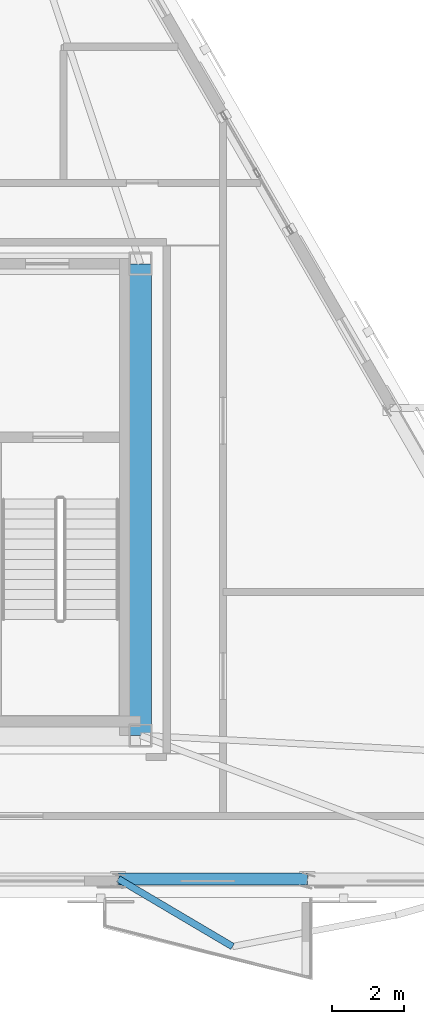
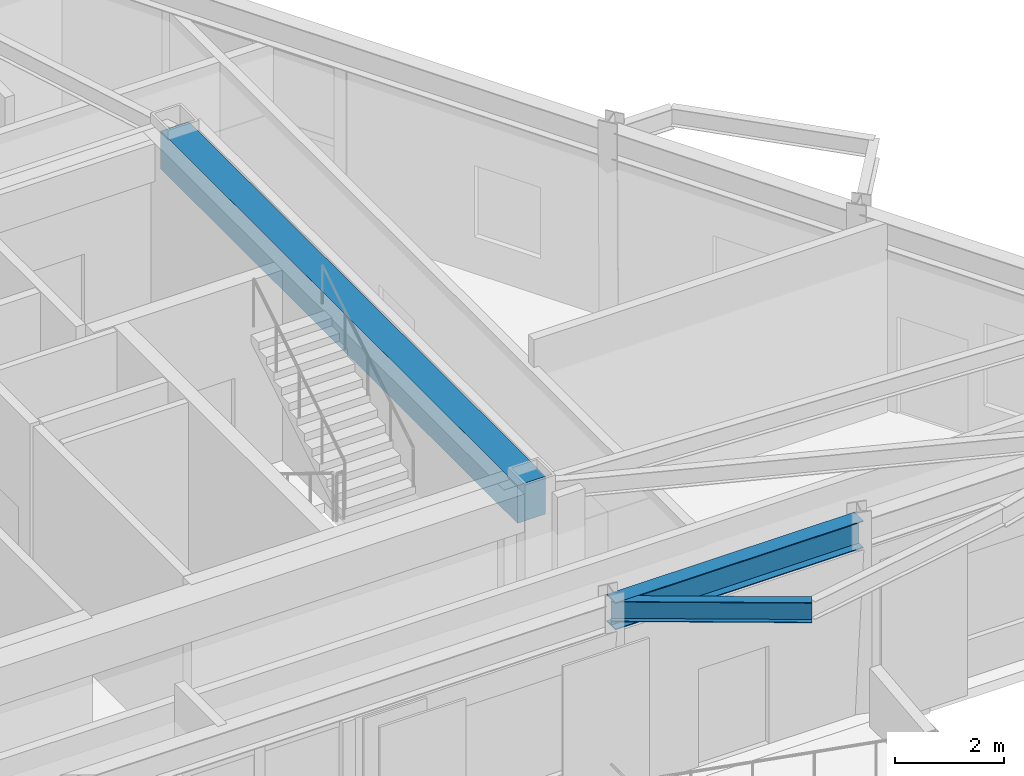
# One storey, part 3 of 16: 3 beams.
"""IFC4 building model written with IfcOpenShell, lengths in metres."""

from ifc_helpers import new_model, si_unit, direction, frame, origin, origin_2d, place, context, subcontext, project, spatial, rectangle, i_section, extrude, material, material_profile, profile_set, type_object, element, save


model = new_model("IFC4")

# Units and contexts
model_context = context("Model", 3, precision=1e-05, world=origin(), true_north=direction((0.0, 1.0)))
body_context = subcontext(model_context, "Body", "Model", "MODEL_VIEW")
ifc_project = project(units=[si_unit("LENGTHUNIT", "METRE"), si_unit("AREAUNIT", "SQUARE_METRE"), si_unit("VOLUMEUNIT", "CUBIC_METRE"), si_unit("PLANEANGLEUNIT", "RADIAN"), si_unit("MASSUNIT", "GRAM", prefix="KILO")], contexts=[model_context])

# Site, building, storey
site_placement = place(None, origin())
site = spatial("IfcSite", under=ifc_project, at=site_placement, CompositionType="ELEMENT")
building_placement = place(site_placement, origin())
building = spatial("IfcBuilding", under=site, at=building_placement, Name="Oramaril Tower", CompositionType="ELEMENT")
storey_placement = place(building_placement, frame((0.0, 0.0, 296.699951171875)))
storey = spatial("IfcBuildingStorey", under=building, at=storey_placement, Name="L78", CompositionType="ELEMENT", Elevation=296.699951171875)

# Beams
ifc_material_1 = material(Name="Steel ASTM A572 Gr 50", Category="steel")
ifc_material_profile_1 = material_profile(ifc_material_1, i_section(OverallWidth=0.19091796875, OverallDepth=0.45703125, WebThickness=0.009033203125, FlangeThickness=0.014404296875, at=origin_2d()), Name="W18X50")
ifc_profile_set_1 = profile_set([ifc_material_profile_1], Name="Steel ASTM A572 Gr 50")
beam_type_1 = type_object("IfcBeamType", Name="BT-BB1", PredefinedType="BEAM", material=ifc_profile_set_1)
beam_1_placement = place(storey_placement, frame((45.031494140625, 6.997802734375, 4.051513671875), z_axis=(0.860810909876, -0.508924923185, 0.0), x_axis=(0.508924923185, 0.860810909876, 0.0)))
element("IfcBeam", 1, at=beam_1_placement, inside=storey, type_object=beam_type_1, Name="L78 Balcony Column-Framed Cantilever 02.1", PredefinedType="BEAM", context=body_context, shape_type="SweptSolid", body=[
    extrude(i_section(OverallWidth=0.19091796875, OverallDepth=0.45703125, WebThickness=0.009033203125, FlangeThickness=0.014404296875, at=origin_2d()), origin(), (0.0, 0.0, 1.0), 3.699951171875),
])
ifc_material_2 = material(Name="Concrete C50/60", Category="concrete")
ifc_material_profile_2 = material_profile(ifc_material_2, rectangle(XDim=0.60009765625, YDim=0.85009765625, at=origin_2d()), Name="CB600X850")
ifc_profile_set_2 = profile_set([ifc_material_profile_2], Name="Concrete C50/60")
beam_type_2 = type_object("IfcBeamType", Name="BT-CB2", PredefinedType="BEAM", material=ifc_profile_set_2)
beam_2_placement = place(storey_placement, frame((45.64990234375, 11.0, 3.85498046875), z_axis=(0.0, 1.0, 0.0), x_axis=(-1.0, 0.0, 0.0)))
element("IfcBeam", 2, at=beam_2_placement, inside=storey, type_object=beam_type_2, Name="L78 Core Header Beam CB-2", PredefinedType="BEAM", context=body_context, shape_type="SweptSolid", body=[
    extrude(rectangle(XDim=0.60009765625, YDim=0.85009765625, at=origin_2d()), origin(), (0.0, 0.0, 1.0), 13.14990234375),
])
ifc_material_3 = material(Name="Steel ASTM A572 Gr 50", Category="steel")
ifc_material_profile_3 = material_profile(ifc_material_3, i_section(OverallWidth=0.324951171875, OverallDepth=0.612060546875, WebThickness=0.0126953125, FlangeThickness=0.01904296875, at=origin_2d()), Name="W24X104")
ifc_profile_set_3 = profile_set([ifc_material_profile_3], Name="Steel ASTM A572 Gr 50")
beam_type_3 = type_object("IfcBeamType", Name="BT-SP5", PredefinedType="SPANDREL", material=ifc_profile_set_3)
beam_3_placement = place(storey_placement, frame((45.031494140625, 6.997802734375, 3.97412109375), z_axis=(1.0, 0.0, 0.0), x_axis=(0.0, 1.0, 0.0)))
element("IfcBeam", 3, at=beam_3_placement, inside=storey, type_object=beam_type_3, Name="L78 Perimeter Spandrel 05", PredefinedType="SPANDREL", context=body_context, shape_type="SweptSolid", body=[
    extrude(i_section(OverallWidth=0.324951171875, OverallDepth=0.612060546875, WebThickness=0.0126953125, FlangeThickness=0.01904296875, at=origin_2d()), origin(), (0.0, 0.0, 1.0), 5.272216796875),
])

save(model, "model.ifc")
